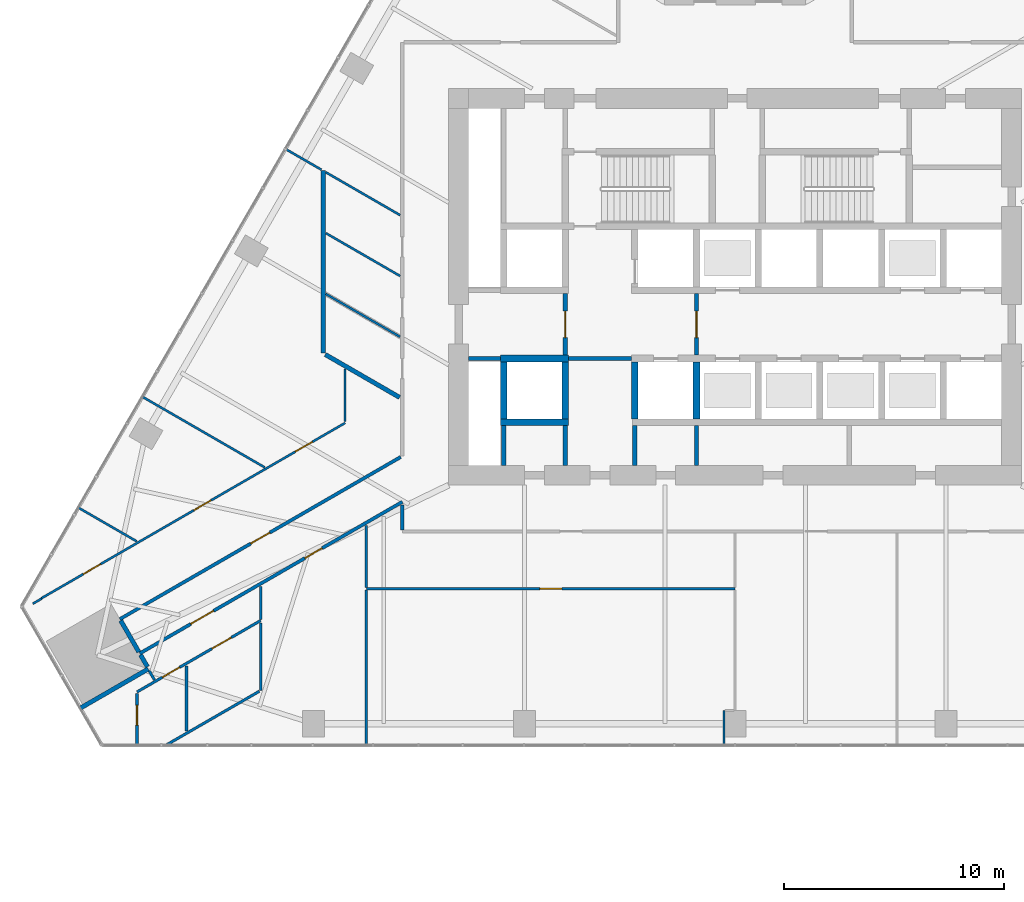
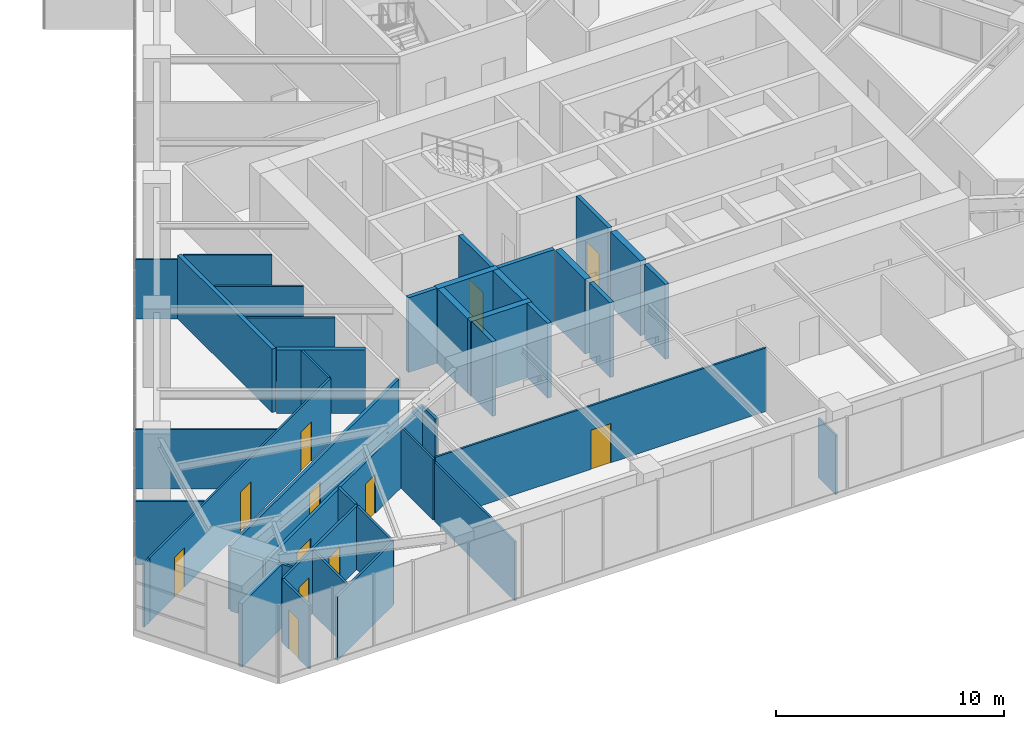
# One storey, part 17 of 26: 42 walls, 12 doors, 12 openings.
"""IFC4 building model written with IfcOpenShell, lengths in metres."""

from ifc_helpers import new_model, si_unit, direction, frame, frame_2d, origin, place, context, subcontext, project, spatial, rectangle, extrude, material, layer, layer_set, type_object, element, fill, save


model = new_model("IFC4")

# Units and contexts
model_context = context("Model", 3, precision=1e-05, world=origin(), true_north=direction((0.0, 1.0)))
body_context = subcontext(model_context, "Body", "Model", "MODEL_VIEW")
ifc_project = project(units=[si_unit("LENGTHUNIT", "METRE"), si_unit("AREAUNIT", "SQUARE_METRE"), si_unit("VOLUMEUNIT", "CUBIC_METRE"), si_unit("PLANEANGLEUNIT", "RADIAN"), si_unit("MASSUNIT", "GRAM", prefix="KILO")], contexts=[model_context])

# Site, building, storey
site_placement = place(None, origin())
site = spatial("IfcSite", under=ifc_project, at=site_placement, CompositionType="ELEMENT")
building_placement = place(site_placement, origin())
building = spatial("IfcBuilding", under=site, at=building_placement, Name="Firuza Gate Tower and Library", CompositionType="ELEMENT")
storey_placement = place(building_placement, frame((0.0, 0.0, 52.60009765625)))
storey = spatial("IfcBuildingStorey", under=building, at=storey_placement, Name="L11", CompositionType="ELEMENT", Elevation=52.60009765625)

# Walls
ifc_material_1 = material(Name="Plasterboard on steel studs", Category="steel")
ifc_layer_1 = layer(ifc_material_1, 0.199951171875)
ifc_layer_set_1 = layer_set([ifc_layer_1], Name="Core partition 200 EI 120")
wall_type_1 = type_object("IfcWallType", Name="Core partition 200 EI 120", PredefinedType="PARTITIONING", material=ifc_layer_set_1)
wall_1_placement = place(storey_placement, frame((62.89990234375, 71.75, 0.0), z_axis=(0.0, 0.0, 1.0), x_axis=(1.0, 0.0, 0.0)))
element("IfcWall", 1, at=wall_1_placement, inside=storey, type_object=wall_type_1, Name="Core partition L11 1", PredefinedType="PARTITIONING", context=body_context, shape_type="SweptSolid", body=[
    extrude(rectangle(XDim=1.4501953125, YDim=0.199951171875, at=frame_2d((0.72509765625, 0.0))), origin(), (0.0, 0.0, 1.0), 4.0),
])
wall_2_placement = place(storey_placement, frame((67.449951171875, 71.75, 0.0), z_axis=(0.0, 0.0, 1.0), x_axis=(1.0, 0.0, 0.0)))
element("IfcWall", 2, at=wall_2_placement, inside=storey, type_object=wall_type_1, Name="Core partition L11 2", PredefinedType="PARTITIONING", context=body_context, shape_type="SweptSolid", body=[
    extrude(rectangle(XDim=2.85009765625, YDim=0.199951171875, at=frame_2d((1.425048828125, 0.0))), origin(), (0.0, 0.0, 1.0), 4.0),
])
for number, where, z_axis, x_axis, name in (
    (3, (64.5, 66.89990234375, 0.0), (0.0, 0.0, 1.0), (0.0, 1.0, 0.0), "Core partition L11 5"),
    (4, (67.300048828125, 66.89990234375, 0.0), (0.0, 0.0, 1.0), (0.0, 1.0, 0.0), "Core partition L11 7"),
    (5, (70.449951171875, 66.89990234375, 0.0), (0.0, 0.0, 1.0), (0.0, 1.0, 0.0), "Core partition L11 10"),
    (6, (73.25, 66.89990234375, 0.0), (0.0, 0.0, 1.0), (0.0, 1.0, 0.0), "Core partition L11 11"),
):
    element("IfcWall", number, at=place(storey_placement, frame(where, z_axis=z_axis, x_axis=x_axis)), inside=storey, type_object=wall_type_1, Name=name, PredefinedType="PARTITIONING", context=body_context, shape_type="SweptSolid", body=[
        extrude(rectangle(XDim=1.800048828125, YDim=0.199951171875, at=frame_2d((0.89990234375, 0.0))), origin(), (0.0, 0.0, 1.0), 4.0),
    ])

# Wall, opening, door
ifc_material_2 = material(Name="Plasterboard on steel studs", Category="steel")
ifc_layer_2 = layer(ifc_material_2, 0.199951171875)
ifc_layer_set_2 = layer_set([ifc_layer_2], Name="Core partition 200 EI 60")
wall_type_2 = type_object("IfcWallType", Name="Core partition 200 EI 60", PredefinedType="PARTITIONING", material=ifc_layer_set_2)
wall_3_placement = place(storey_placement, frame((67.300048828125, 71.89990234375, 0.0), z_axis=(0.0, 0.0, 1.0), x_axis=(0.0, 1.0, 0.0)))
wall_3 = element("IfcWall", 7, at=wall_3_placement, inside=storey, type_object=wall_type_2, Name="Core partition L11 8", PredefinedType="PARTITIONING", context=body_context, shape_type="SweptSolid", body=[
    extrude(rectangle(XDim=2.800048828125, YDim=0.199951171875, at=frame_2d((1.39990234375, 0.0))), origin(), (0.0, 0.0, 1.0), 4.0),
])
opening_1_placement = place(wall_3_placement, frame((0.800048828125, 0.0, 0.0)))
opening_1 = element("IfcOpeningElement", 8, at=opening_1_placement, cuts=wall_3, Name="Opening L11-K21", PredefinedType="OPENING", context=body_context, shape_type="SweptSolid", body=[
    extrude(rectangle(XDim=1.199951171875, YDim=2.10009765625, at=frame_2d((0.60009765625, 1.050048828125))), frame((0.0, 0.10986328125, 0.0), z_axis=(0.0, -1.0, 0.0), x_axis=(1.0, 0.0, 0.0)), (0.0, 0.0, 1.0), 0.219970703125),
])
ifc_material_3 = material(Name="Steel", Category="steel")
door_type_1 = type_object("IfcDoorType", Name="Fire door 1200x2100 FD90S", OperationType="NOTDEFINED", PredefinedType="DOOR", material=ifc_material_3)
door_1_placement = place(opening_1_placement, origin())
door_1 = element("IfcDoor", 9, at=door_1_placement, inside=storey, type_object=door_type_1, Name="Door L11-K21", OperationType="SINGLE_SWING_RIGHT", OverallHeight=2.10009765625, OverallWidth=1.199951171875, PredefinedType="DOOR", context=body_context, shape_type="SweptSolid", body=[
    extrude(rectangle(XDim=1.199951171875, YDim=2.10009765625, at=frame_2d((0.60009765625, 1.050048828125))), frame((0.0, 0.02490234375, 0.0), z_axis=(0.0, -1.0, 0.0), x_axis=(1.0, 0.0, 0.0)), (0.0, 0.0, 1.0), 0.050048828125),
])
fill(opening_1, door_1)

wall_4_placement = place(storey_placement, frame((73.25, 71.89990234375, 0.0), z_axis=(0.0, 0.0, 1.0), x_axis=(0.0, 1.0, 0.0)))
wall_4 = element("IfcWall", 10, at=wall_4_placement, inside=storey, type_object=wall_type_2, Name="Core partition L11 12", PredefinedType="PARTITIONING", context=body_context, shape_type="SweptSolid", body=[
    extrude(rectangle(XDim=2.800048828125, YDim=0.199951171875, at=frame_2d((1.39990234375, 0.0))), origin(), (0.0, 0.0, 1.0), 4.0),
])
opening_2_placement = place(wall_4_placement, frame((0.800048828125, 0.0, 0.0)))
opening_2 = element("IfcOpeningElement", 11, at=opening_2_placement, cuts=wall_4, Name="Opening L11-K20", PredefinedType="OPENING", context=body_context, shape_type="SweptSolid", body=[
    extrude(rectangle(XDim=1.199951171875, YDim=2.10009765625, at=frame_2d((0.60009765625, 1.050048828125))), frame((0.0, 0.10986328125, 0.0), z_axis=(0.0, -1.0, 0.0), x_axis=(1.0, 0.0, 0.0)), (0.0, 0.0, 1.0), 0.219970703125),
])
door_2_placement = place(opening_2_placement, origin())
door_2 = element("IfcDoor", 12, at=door_2_placement, inside=storey, type_object=door_type_1, Name="Door L11-K20", OperationType="SINGLE_SWING_LEFT", OverallHeight=2.10009765625, OverallWidth=1.199951171875, PredefinedType="DOOR", context=body_context, shape_type="SweptSolid", body=[
    extrude(rectangle(XDim=1.199951171875, YDim=2.10009765625, at=frame_2d((0.60009765625, 1.050048828125))), frame((0.0, 0.02490234375, 0.0), z_axis=(0.0, -1.0, 0.0), x_axis=(1.0, 0.0, 0.0)), (0.0, 0.0, 1.0), 0.050048828125),
])
fill(opening_2, door_2)

# Walls
ifc_material_4 = material(Name="Concrete C80/95", Category="concrete")
ifc_layer_3 = layer(ifc_material_4, 0.300048828125)
ifc_layer_set_3 = layer_set([ifc_layer_3], Name="Core wall 300 C80/95")
wall_type_3 = type_object("IfcWallType", Name="Core wall 300 C80/95", PredefinedType="SHEAR", material=ifc_layer_set_3)
for number, where, z_axis, x_axis, name in (
    (13, (64.35009765625, 68.85009765625, 0.0), (0.0, 0.0, 1.0), (1.0, 0.0, 0.0), "Core wall L11 5"),
    (14, (64.35009765625, 71.75, 0.0), (0.0, 0.0, 1.0), (1.0, 0.0, 0.0), "Core wall L11 7"),
):
    element("IfcWall", number, at=place(storey_placement, frame(where, z_axis=z_axis, x_axis=x_axis)), inside=storey, type_object=wall_type_3, Name=name, PredefinedType="SHEAR", context=body_context, shape_type="SweptSolid", body=[
        extrude(rectangle(XDim=3.099853515625, YDim=0.300048828125, at=frame_2d((1.5498046875, 0.0))), origin(), (0.0, 0.0, 1.0), 4.0),
    ])
for number, where, z_axis, x_axis, name in (
    (15, (64.5, 69.0, 0.0), (0.0, 0.0, 1.0), (0.0, 1.0, 0.0), "Core wall L11 11"),
    (16, (67.300048828125, 69.0, 0.0), (0.0, 0.0, 1.0), (0.0, 1.0, 0.0), "Core wall L11 13"),
    (17, (70.449951171875, 69.0, 0.0), (0.0, 0.0, 1.0), (0.0, 1.0, 0.0), "Core wall L11 15"),
    (18, (73.25, 69.0, 0.0), (0.0, 0.0, 1.0), (0.0, 1.0, 0.0), "Core wall L11 17"),
):
    element("IfcWall", number, at=place(storey_placement, frame(where, z_axis=z_axis, x_axis=x_axis)), inside=storey, type_object=wall_type_3, Name=name, PredefinedType="SHEAR", context=body_context, shape_type="SweptSolid", body=[
        extrude(rectangle(XDim=2.60009765625, YDim=0.300048828125, at=frame_2d((1.300048828125, 0.0))), origin(), (0.0, 0.0, 1.0), 4.0),
    ])

# Wall, openings, doors
ifc_material_5 = material(Name="Gypsum board partition")
ifc_layer_4 = layer(ifc_material_5, 0.14990234375)
ifc_layer_set_4 = layer_set([ifc_layer_4], Name="Corridor wall 150 double board on steel studs")
wall_type_4 = type_object("IfcWallType", Name="Corridor wall 150 double board on steel studs", PredefinedType="PARTITIONING", material=ifc_layer_set_4)
wall_5_placement = place(storey_placement, frame((59.89990234375, 65.242919921875, 0.0), z_axis=(0.0, 0.0, 1.0), x_axis=(-0.866026378386, -0.499998311937, 0.0)))
wall_5 = element("IfcWall", 19, at=wall_5_placement, inside=storey, type_object=wall_type_4, Name="f:L11:w017", PredefinedType="PARTITIONING", context=body_context, shape_type="SweptSolid", body=[
    extrude(rectangle(XDim=13.76416015625, YDim=0.14990234375, at=frame_2d((6.882080078125, 0.0))), origin(), (0.0, 0.0, 1.0), 3.246826171875),
])
opening_3_placement = place(wall_5_placement, frame((4.208740234375, 0.0, 0.0)))
opening_3 = element("IfcOpeningElement", 20, at=opening_3_placement, cuts=wall_5, Name="Opening L11-13", PredefinedType="OPENING", context=body_context, shape_type="SweptSolid", body=[
    extrude(rectangle(XDim=0.89990234375, YDim=2.10009765625, at=frame_2d((0.449951171875, 1.050048828125))), frame((0.0, 0.0849609375, 0.0), z_axis=(0.0, -1.0, 0.0), x_axis=(1.0, 0.0, 0.0)), (0.0, 0.0, 1.0), 0.169921875),
])
opening_4_placement = place(wall_5_placement, frame((9.890869140625, 0.0, 0.0)))
opening_4 = element("IfcOpeningElement", 21, at=opening_4_placement, cuts=wall_5, Name="Opening L11-14", PredefinedType="OPENING", context=body_context, shape_type="SweptSolid", body=[
    extrude(rectangle(XDim=1.199951171875, YDim=2.10009765625, at=frame_2d((0.60009765625, 1.050048828125))), frame((0.0, 0.0849609375, 0.0), z_axis=(0.0, -1.0, 0.0), x_axis=(1.0, 0.0, 0.0)), (0.0, 0.0, 1.0), 0.169921875),
])
ifc_material_6 = material(Name="Steel door and timber leaf", Category="steel")
door_type_2 = type_object("IfcDoorType", Name="Fire door 1200 x 2100 steel frame, double leaf", OperationType="NOTDEFINED", PredefinedType="DOOR", material=ifc_material_6)
door_3_placement = place(opening_4_placement, origin())
door_3 = element("IfcDoor", 22, at=door_3_placement, inside=storey, type_object=door_type_2, Name="f:L11:d014", OperationType="DOUBLE_DOOR_SINGLE_SWING", OverallHeight=2.10009765625, OverallWidth=1.199951171875, PredefinedType="DOOR", context=body_context, shape_type="SweptSolid", body=[
    extrude(rectangle(XDim=1.199951171875, YDim=2.10009765625, at=frame_2d((0.60009765625, 1.050048828125))), frame((0.0, 0.02490234375, 0.0), z_axis=(0.0, -1.0, 0.0), x_axis=(1.0, 0.0, 0.0)), (0.0, 0.0, 1.0), 0.050048828125),
])
fill(opening_4, door_3)
ifc_material_7 = material(Name="Steel door and timber leaf", Category="steel")
door_type_3 = type_object("IfcDoorType", Name="Fire door 900 x 2100 steel frame, timber leaf", OperationType="NOTDEFINED", PredefinedType="DOOR", material=ifc_material_7)
door_4_placement = place(opening_3_placement, origin())
door_4 = element("IfcDoor", 23, at=door_4_placement, inside=storey, type_object=door_type_3, Name="f:L11:d013", OperationType="SINGLE_SWING_RIGHT", OverallHeight=2.10009765625, OverallWidth=0.89990234375, PredefinedType="DOOR", context=body_context, shape_type="SweptSolid", body=[
    extrude(rectangle(XDim=0.89990234375, YDim=2.10009765625, at=frame_2d((0.449951171875, 1.050048828125))), frame((0.0, 0.02490234375, 0.0), z_axis=(0.0, -1.0, 0.0), x_axis=(1.0, 0.0, 0.0)), (0.0, 0.0, 1.0), 0.050048828125),
])
fill(opening_3, door_4)

# Wall, opening, door
wall_6_placement = place(storey_placement, frame((47.079833984375, 59.919677734375, 0.0), z_axis=(0.0, 0.0, 1.0), x_axis=(0.866025356753, 0.50000008146, 0.0)))
wall_6 = element("IfcWall", 24, at=wall_6_placement, inside=storey, type_object=wall_type_4, Name="f:L11:w020", PredefinedType="PARTITIONING", context=body_context, shape_type="SweptSolid", body=[
    extrude(rectangle(XDim=14.716796875, YDim=0.14990234375, at=frame_2d((7.3583984375, 0.0))), origin(), (0.0, 0.0, 1.0), 3.39990234375),
])
opening_5_placement = place(wall_6_placement, frame((6.8583984375, 0.0, 0.0)))
opening_5 = element("IfcOpeningElement", 25, at=opening_5_placement, cuts=wall_6, Name="Opening L11-15", PredefinedType="OPENING", context=body_context, shape_type="SweptSolid", body=[
    extrude(rectangle(XDim=1.0, YDim=2.10009765625, at=frame_2d((0.5, 1.050048828125))), frame((0.0, 0.0849609375, 0.0), z_axis=(0.0, -1.0, 0.0), x_axis=(1.0, 0.0, 0.0)), (0.0, 0.0, 1.0), 0.169921875),
])
ifc_material_8 = material(Name="Steel door and timber leaf", Category="steel")
door_type_4 = type_object("IfcDoorType", Name="Fire door 1000 x 2100 steel frame, timber leaf", OperationType="NOTDEFINED", PredefinedType="DOOR", material=ifc_material_8)
door_5_placement = place(opening_5_placement, origin())
door_5 = element("IfcDoor", 26, at=door_5_placement, inside=storey, type_object=door_type_4, Name="f:L11:d015", OperationType="SINGLE_SWING_RIGHT", OverallHeight=2.10009765625, OverallWidth=1.0, PredefinedType="DOOR", context=body_context, shape_type="SweptSolid", body=[
    extrude(rectangle(XDim=1.0, YDim=2.10009765625, at=frame_2d((0.5, 1.050048828125))), frame((0.0, 0.02490234375, 0.0), z_axis=(0.0, -1.0, 0.0), x_axis=(1.0, 0.0, 0.0)), (0.0, 0.0, 1.0), 0.050048828125),
])
fill(opening_5, door_5)

# Walls
wall_7_placement = place(storey_placement, frame((59.89990234375, 63.97509765625, 0.0), z_axis=(0.0, 0.0, 1.0), x_axis=(0.0, 1.0, 0.0)))
element("IfcWall", 27, at=wall_7_placement, inside=storey, type_object=wall_type_4, Name="f:L11:w046", PredefinedType="PARTITIONING", context=body_context, shape_type="SweptSolid", body=[
    extrude(rectangle(XDim=1.131103515625, YDim=0.14990234375, at=frame_2d((0.5654296875, 0.0))), origin(), (0.0, 0.0, 1.0), 3.246826171875),
])
ifc_material_9 = material(Name="Gypsum board partition")
ifc_layer_5 = layer(ifc_material_9, 0.199951171875)
ifc_layer_set_5 = layer_set([ifc_layer_5], Name="Demising wall 200 acoustic double stud")
wall_type_5 = type_object("IfcWallType", Name="Demising wall 200 acoustic double stud", PredefinedType="PARTITIONING", material=ifc_layer_set_5)
wall_8_placement = place(storey_placement, frame((45.29638671875, 55.8876953125, 0.0), z_axis=(0.0, 0.0, 1.0), x_axis=(0.866016916595, 0.500014699955, 0.0)))
element("IfcWall", 28, at=wall_8_placement, inside=storey, type_object=wall_type_5, Name="f:L11:w016", PredefinedType="PARTITIONING", context=body_context, shape_type="SweptSolid", body=[
    extrude(rectangle(XDim=3.54345703125, YDim=0.199951171875, at=frame_2d((1.771728515625, 0.0))), origin(), (0.0, 0.0, 1.0), 3.39990234375),
])
wall_9_placement = place(storey_placement, frame((56.300048828125, 71.98828125, 0.0), z_axis=(0.0, 0.0, 1.0), x_axis=(0.0, 1.0, 0.0)))
element("IfcWall", 29, at=wall_9_placement, inside=storey, type_object=wall_type_5, Name="f:L11:w050", PredefinedType="PARTITIONING", context=body_context, shape_type="SweptSolid", body=[
    extrude(rectangle(XDim=8.2841796875, YDim=0.199951171875, at=frame_2d((4.14208984375, 0.0))), origin(), (0.0, 0.0, 1.0), 3.39990234375),
])
wall_10_placement = place(storey_placement, frame((48.32958984375, 57.7548828125, 0.0), z_axis=(0.0, 0.0, 1.0), x_axis=(-0.500342721131, 0.865827443207, 0.0)))
element("IfcWall", 30, at=wall_10_placement, inside=storey, type_object=wall_type_5, Name="f:L11:w055", PredefinedType="PARTITIONING", context=body_context, shape_type="SweptSolid", body=[
    extrude(rectangle(XDim=0.62451171875, YDim=0.199951171875, at=frame_2d((0.312255859375, 0.0))), origin(), (0.0, 0.0, 1.0), 3.39990234375),
])
wall_11_placement = place(storey_placement, frame((59.773193359375, 69.982421875, 0.0), z_axis=(0.0, 0.0, 1.0), x_axis=(-0.866043624834, 0.499968438888, 0.0)))
element("IfcWall", 31, at=wall_11_placement, inside=storey, type_object=wall_type_5, Name="f:L11:w066", PredefinedType="PARTITIONING", context=body_context, shape_type="SweptSolid", body=[
    extrude(rectangle(XDim=3.894775390625, YDim=0.199951171875, at=frame_2d((1.947265625, 0.0))), origin(), (0.0, 0.0, 1.0), 3.39990234375),
])
wall_12_placement = place(storey_placement, frame((47.942138671875, 58.425537109375, 0.0), z_axis=(0.0, 0.0, 1.0), x_axis=(-0.499991515992, 0.866030301974, 0.0)))
element("IfcWall", 32, at=wall_12_placement, inside=storey, type_object=wall_type_5, Name="f:L11:w073", PredefinedType="PARTITIONING", context=body_context, shape_type="SweptSolid", body=[
    extrude(rectangle(XDim=1.6494140625, YDim=0.199951171875, at=frame_2d((0.82470703125, 0.0))), origin(), (0.0, 0.0, 1.0), 3.246826171875),
])

# Wall, opening, door
ifc_material_10 = material(Name="Gypsum board partition")
ifc_layer_6 = layer(ifc_material_10, 0.10009765625)
ifc_layer_set_6 = layer_set([ifc_layer_6], Name="Partition 100 gypsum board on steel studs")
wall_type_6 = type_object("IfcWallType", Name="Partition 100 gypsum board on steel studs", PredefinedType="PARTITIONING", material=ifc_layer_set_6)
wall_13_placement = place(storey_placement, frame((58.27099609375, 61.300048828125, 0.0), z_axis=(0.0, 0.0, 1.0), x_axis=(1.0, 0.0, 0.0)))
wall_13 = element("IfcWall", 33, at=wall_13_placement, inside=storey, type_object=wall_type_6, Name="f:L11:w001", PredefinedType="PARTITIONING", context=body_context, shape_type="SweptSolid", body=[
    extrude(rectangle(XDim=16.72900390625, YDim=0.10009765625, at=frame_2d((8.364501953125, 0.0))), origin(), (0.0, 0.0, 1.0), 3.39990234375),
])
opening_6_placement = place(wall_13_placement, frame((7.864501953125, 0.0, 0.0)))
opening_6 = element("IfcOpeningElement", 34, at=opening_6_placement, cuts=wall_13, Name="Opening L11-01", PredefinedType="OPENING", context=body_context, shape_type="SweptSolid", body=[
    extrude(rectangle(XDim=1.0, YDim=2.10009765625, at=frame_2d((0.5, 1.050048828125))), frame((0.0, 0.06005859375, 0.0), z_axis=(0.0, -1.0, 0.0), x_axis=(1.0, 0.0, 0.0)), (0.0, 0.0, 1.0), 0.1201171875),
])
ifc_material_11 = material(Name="Timber door", Category="wood")
door_type_5 = type_object("IfcDoorType", Name="Door 1000 x 2100 timber leaf", OperationType="NOTDEFINED", PredefinedType="DOOR", material=ifc_material_11)
door_6_placement = place(opening_6_placement, origin())
door_6 = element("IfcDoor", 35, at=door_6_placement, inside=storey, type_object=door_type_5, Name="f:L11:d001", OperationType="SINGLE_SWING_RIGHT", OverallHeight=2.10009765625, OverallWidth=1.0, PredefinedType="DOOR", context=body_context, shape_type="SweptSolid", body=[
    extrude(rectangle(XDim=1.0, YDim=2.10009765625, at=frame_2d((0.5, 1.050048828125))), frame((0.0, 0.02490234375, 0.0), z_axis=(0.0, -1.0, 0.0), x_axis=(1.0, 0.0, 0.0)), (0.0, 0.0, 1.0), 0.050048828125),
])
fill(opening_6, door_6)

# Wall
wall_14_placement = place(storey_placement, frame((43.12744140625, 60.617919921875, 0.0), z_axis=(0.0, 0.0, 1.0), x_axis=(0.865979310119, 0.500079828073, 0.0)))
element("IfcWall", 36, at=wall_14_placement, inside=storey, type_object=wall_type_6, Name="f:L11:w021", PredefinedType="PARTITIONING", context=body_context, shape_type="SweptSolid", body=[
    extrude(rectangle(XDim=0.47314453125, YDim=0.10009765625, at=frame_2d((0.236572265625, 0.0))), origin(), (0.0, 0.0, 1.0), 3.39990234375),
])

# Wall, openings, doors
wall_15_placement = place(storey_placement, frame((57.300048828125, 68.822509765625, 0.0), z_axis=(0.0, 0.0, 1.0), x_axis=(-0.8660275888, -0.499996215423, 0.0)))
wall_15 = element("IfcWall", 37, at=wall_15_placement, inside=storey, type_object=wall_type_6, Name="f:L11:w022", PredefinedType="PARTITIONING", context=body_context, shape_type="SweptSolid", body=[
    extrude(rectangle(XDim=15.90234375, YDim=0.10009765625, at=frame_2d((7.951171875, 0.0))), origin(), (0.0, 0.0, 1.0), 3.39990234375),
])
opening_7_placement = place(wall_15_placement, frame((1.712890625, 0.0, 0.0)))
opening_7 = element("IfcOpeningElement", 38, at=opening_7_placement, cuts=wall_15, Name="Opening L11-16", PredefinedType="OPENING", context=body_context, shape_type="SweptSolid", body=[
    extrude(rectangle(XDim=0.89990234375, YDim=2.10009765625, at=frame_2d((0.449951171875, 1.050048828125))), frame((0.0, 0.06005859375, 0.0), z_axis=(0.0, -1.0, 0.0), x_axis=(1.0, 0.0, 0.0)), (0.0, 0.0, 1.0), 0.1201171875),
])
opening_8_placement = place(wall_15_placement, frame((7.02734375, 0.0, 0.0)))
opening_8 = element("IfcOpeningElement", 39, at=opening_8_placement, cuts=wall_15, Name="Opening L11-17", PredefinedType="OPENING", context=body_context, shape_type="SweptSolid", body=[
    extrude(rectangle(XDim=0.89990234375, YDim=2.10009765625, at=frame_2d((0.449951171875, 1.050048828125))), frame((0.0, 0.06005859375, 0.0), z_axis=(0.0, -1.0, 0.0), x_axis=(1.0, 0.0, 0.0)), (0.0, 0.0, 1.0), 0.1201171875),
])
opening_9_placement = place(wall_15_placement, frame((12.815673828125, 0.0, 0.0)))
opening_9 = element("IfcOpeningElement", 40, at=opening_9_placement, cuts=wall_15, Name="Opening L11-18", PredefinedType="OPENING", context=body_context, shape_type="SweptSolid", body=[
    extrude(rectangle(XDim=0.89990234375, YDim=2.10009765625, at=frame_2d((0.449951171875, 1.050048828125))), frame((0.0, 0.06005859375, 0.0), z_axis=(0.0, -1.0, 0.0), x_axis=(1.0, 0.0, 0.0)), (0.0, 0.0, 1.0), 0.1201171875),
])
ifc_material_12 = material(Name="Timber door", Category="wood")
door_type_6 = type_object("IfcDoorType", Name="Door 900 x 2100 timber leaf", OperationType="NOTDEFINED", PredefinedType="DOOR", material=ifc_material_12)
door_7_placement = place(opening_7_placement, origin())
door_7 = element("IfcDoor", 41, at=door_7_placement, inside=storey, type_object=door_type_6, Name="f:L11:d016", OperationType="SINGLE_SWING_RIGHT", OverallHeight=2.10009765625, OverallWidth=0.89990234375, PredefinedType="DOOR", context=body_context, shape_type="SweptSolid", body=[
    extrude(rectangle(XDim=0.89990234375, YDim=2.10009765625, at=frame_2d((0.449951171875, 1.050048828125))), frame((0.0, 0.02490234375, 0.0), z_axis=(0.0, -1.0, 0.0), x_axis=(1.0, 0.0, 0.0)), (0.0, 0.0, 1.0), 0.050048828125),
])
fill(opening_7, door_7)
door_8_placement = place(opening_8_placement, origin())
door_8 = element("IfcDoor", 42, at=door_8_placement, inside=storey, type_object=door_type_6, Name="f:L11:d017", OperationType="SINGLE_SWING_LEFT", OverallHeight=2.10009765625, OverallWidth=0.89990234375, PredefinedType="DOOR", context=body_context, shape_type="SweptSolid", body=[
    extrude(rectangle(XDim=0.89990234375, YDim=2.10009765625, at=frame_2d((0.449951171875, 1.050048828125))), frame((0.0, 0.02490234375, 0.0), z_axis=(0.0, -1.0, 0.0), x_axis=(1.0, 0.0, 0.0)), (0.0, 0.0, 1.0), 0.050048828125),
])
fill(opening_8, door_8)
door_9_placement = place(opening_9_placement, origin())
door_9 = element("IfcDoor", 43, at=door_9_placement, inside=storey, type_object=door_type_6, Name="f:L11:d018", OperationType="SINGLE_SWING_RIGHT", OverallHeight=2.10009765625, OverallWidth=0.89990234375, PredefinedType="DOOR", context=body_context, shape_type="SweptSolid", body=[
    extrude(rectangle(XDim=0.89990234375, YDim=2.10009765625, at=frame_2d((0.449951171875, 1.050048828125))), frame((0.0, 0.02490234375, 0.0), z_axis=(0.0, -1.0, 0.0), x_axis=(1.0, 0.0, 0.0)), (0.0, 0.0, 1.0), 0.050048828125),
])
fill(opening_9, door_9)

# Walls
wall_16_placement = place(storey_placement, frame((74.5, 54.212158203125, 0.0), z_axis=(0.0, 0.0, 1.0), x_axis=(0.0, 1.0, 0.0)))
element("IfcWall", 44, at=wall_16_placement, inside=storey, type_object=wall_type_6, Name="f:L11:w041", PredefinedType="PARTITIONING", context=body_context, shape_type="SweptSolid", body=[
    extrude(rectangle(XDim=1.5595703125, YDim=0.10009765625, at=frame_2d((0.77978515625, 0.0))), origin(), (0.0, 0.0, 1.0), 3.164794921875),
])
wall_17_placement = place(storey_placement, frame((58.257080078125, 54.212158203125, 0.0), z_axis=(0.0, 0.0, 1.0), x_axis=(0.0, 1.0, 0.0)))
element("IfcWall", 45, at=wall_17_placement, inside=storey, type_object=wall_type_6, Name="f:L11:w048", PredefinedType="PARTITIONING", context=body_context, shape_type="SweptSolid", body=[
    extrude(rectangle(XDim=7.037841796875, YDim=0.10009765625, at=frame_2d((3.51904296875, 0.0))), origin(), (0.0, 0.0, 1.0), 3.164794921875),
])
wall_18_placement = place(storey_placement, frame((57.300048828125, 68.880126953125, 0.0), z_axis=(0.0, 0.0, 1.0), x_axis=(0.0, 1.0, 0.0)))
element("IfcWall", 46, at=wall_18_placement, inside=storey, type_object=wall_type_6, Name="f:L11:w049", PredefinedType="PARTITIONING", context=body_context, shape_type="SweptSolid", body=[
    extrude(rectangle(XDim=2.38427734375, YDim=0.10009765625, at=frame_2d((1.192138671875, 0.0))), origin(), (0.0, 0.0, 1.0), 3.39990234375),
])
wall_19_placement = place(storey_placement, frame((59.798828125, 78.25244140625, 0.0), z_axis=(0.0, 0.0, 1.0), x_axis=(-0.866036349784, 0.499981040493, 0.0)))
element("IfcWall", 47, at=wall_19_placement, inside=storey, type_object=wall_type_6, Name="f:L11:w063", PredefinedType="PARTITIONING", context=body_context, shape_type="SweptSolid", body=[
    extrude(rectangle(XDim=3.895751953125, YDim=0.10009765625, at=frame_2d((1.94775390625, 0.0))), origin(), (0.0, 0.0, 1.0), 3.39990234375),
])
wall_20_placement = place(storey_placement, frame((59.798828125, 75.490478515625, 0.0), z_axis=(0.0, 0.0, 1.0), x_axis=(-0.866043624834, 0.499968438888, 0.0)))
element("IfcWall", 48, at=wall_20_placement, inside=storey, type_object=wall_type_6, Name="f:L11:w064", PredefinedType="PARTITIONING", context=body_context, shape_type="SweptSolid", body=[
    extrude(rectangle(XDim=3.894775390625, YDim=0.10009765625, at=frame_2d((1.947265625, 0.0))), origin(), (0.0, 0.0, 1.0), 3.39990234375),
])
wall_21_placement = place(storey_placement, frame((59.799072265625, 72.729248046875, 0.0), z_axis=(0.0, 0.0, 1.0), x_axis=(-0.866016482536, 0.500015451737, 0.0)))
element("IfcWall", 49, at=wall_21_placement, inside=storey, type_object=wall_type_6, Name="f:L11:w065", PredefinedType="PARTITIONING", context=body_context, shape_type="SweptSolid", body=[
    extrude(rectangle(XDim=3.89501953125, YDim=0.10009765625, at=frame_2d((1.947509765625, 0.0))), origin(), (0.0, 0.0, 1.0), 3.39990234375),
])
wall_22_placement = place(storey_placement, frame((53.654052734375, 66.80517578125, 0.0), z_axis=(0.0, 0.0, 1.0), x_axis=(-0.866029926444, 0.499992166441, 0.0)))
element("IfcWall", 50, at=wall_22_placement, inside=storey, type_object=wall_type_6, Name="f:L11:w067", PredefinedType="PARTITIONING", context=body_context, shape_type="SweptSolid", body=[
    extrude(rectangle(XDim=6.39892578125, YDim=0.10009765625, at=frame_2d((3.199462890625, 0.0))), origin(), (0.0, 0.0, 1.0), 3.164794921875),
])
wall_23_placement = place(storey_placement, frame((47.843017578125, 63.4501953125, 0.0), z_axis=(0.0, 0.0, 1.0), x_axis=(-0.86603332906, 0.499986272769, 0.0)))
element("IfcWall", 51, at=wall_23_placement, inside=storey, type_object=wall_type_6, Name="f:L11:w068", PredefinedType="PARTITIONING", context=body_context, shape_type="SweptSolid", body=[
    extrude(rectangle(XDim=3.0439453125, YDim=0.10009765625, at=frame_2d((1.52197265625, 0.0))), origin(), (0.0, 0.0, 1.0), 3.39990234375),
])
wall_24_placement = place(storey_placement, frame((56.22509765625, 80.315673828125, 0.0), z_axis=(0.0, 0.0, 1.0), x_axis=(-0.86600952399, 0.500027503603, 0.0)))
element("IfcWall", 52, at=wall_24_placement, inside=storey, type_object=wall_type_6, Name="f:L11:w078", PredefinedType="PARTITIONING", context=body_context, shape_type="SweptSolid", body=[
    extrude(rectangle(XDim=1.87060546875, YDim=0.10009765625, at=frame_2d((0.935302734375, 0.0))), origin(), (0.0, 0.0, 1.0), 3.164794921875),
])
wall_25_placement = place(storey_placement, frame((58.257080078125, 61.35009765625, 0.0), z_axis=(0.0, 0.0, 1.0), x_axis=(0.0, 1.0, 0.0)))
element("IfcWall", 53, at=wall_25_placement, inside=storey, type_object=wall_type_6, Name="f:L11:w079", PredefinedType="PARTITIONING", context=body_context, shape_type="SweptSolid", body=[
    extrude(rectangle(XDim=2.82763671875, YDim=0.10009765625, at=frame_2d((1.413818359375, 0.0))), origin(), (0.0, 0.0, 1.0), 3.246826171875),
])
ifc_material_13 = material(Name="Gypsum board partition")
ifc_layer_7 = layer(ifc_material_13, 0.1201171875)
ifc_layer_set_7 = layer_set([ifc_layer_7], Name="Wet-area partition 120 moisture-resistant board")
wall_type_7 = type_object("IfcWallType", Name="Wet-area partition 120 moisture-resistant board", PredefinedType="PARTITIONING", material=ifc_layer_set_7)
wall_26_placement = place(storey_placement, frame((49.194091796875, 54.212158203125, 0.0), z_axis=(0.0, 0.0, 1.0), x_axis=(0.866016997745, 0.500014559404, 0.0)))
element("IfcWall", 54, at=wall_26_placement, inside=storey, type_object=wall_type_7, Name="f:L11:w014", PredefinedType="PARTITIONING", context=body_context, shape_type="SweptSolid", body=[
    extrude(rectangle(XDim=4.871337890625, YDim=0.1201171875, at=frame_2d((2.435546875, 0.0))), origin(), (0.0, 0.0, 1.0), 3.39990234375),
])

# Wall, openings, doors
wall_27_placement = place(storey_placement, frame((47.85546875, 56.614501953125, 0.0), z_axis=(0.0, 0.0, 1.0), x_axis=(0.866008853477, 0.500028664877, 0.0)))
wall_27 = element("IfcWall", 55, at=wall_27_placement, inside=storey, type_object=wall_type_7, Name="f:L11:w015", PredefinedType="PARTITIONING", context=body_context, shape_type="SweptSolid", body=[
    extrude(rectangle(XDim=6.4873046875, YDim=0.1201171875, at=frame_2d((3.24365234375, 0.0))), origin(), (0.0, 0.0, 1.0), 3.39990234375),
])
opening_10_placement = place(wall_27_placement, frame((1.329345703125, 0.0, 0.0)))
opening_10 = element("IfcOpeningElement", 56, at=opening_10_placement, cuts=wall_27, Name="Opening L11-11", PredefinedType="OPENING", context=body_context, shape_type="SweptSolid", body=[
    extrude(rectangle(XDim=0.89990234375, YDim=2.10009765625, at=frame_2d((0.449951171875, 1.050048828125))), frame((0.0, 0.070068359375, 0.0), z_axis=(0.0, -1.0, 0.0), x_axis=(1.0, 0.0, 0.0)), (0.0, 0.0, 1.0), 0.14013671875),
])
opening_11_placement = place(wall_27_placement, frame((3.939453125, 0.0, 0.0)))
opening_11 = element("IfcOpeningElement", 57, at=opening_11_placement, cuts=wall_27, Name="Opening L11-12", PredefinedType="OPENING", context=body_context, shape_type="SweptSolid", body=[
    extrude(rectangle(XDim=1.0, YDim=2.10009765625, at=frame_2d((0.5, 1.050048828125))), frame((0.0, 0.070068359375, 0.0), z_axis=(0.0, -1.0, 0.0), x_axis=(1.0, 0.0, 0.0)), (0.0, 0.0, 1.0), 0.14013671875),
])
door_10_placement = place(opening_11_placement, origin())
door_10 = element("IfcDoor", 58, at=door_10_placement, inside=storey, type_object=door_type_5, Name="f:L11:d012", OperationType="SINGLE_SWING_RIGHT", OverallHeight=2.10009765625, OverallWidth=1.0, PredefinedType="DOOR", context=body_context, shape_type="SweptSolid", body=[
    extrude(rectangle(XDim=1.0, YDim=2.10009765625, at=frame_2d((0.5, 1.050048828125))), frame((0.0, 0.02490234375, 0.0), z_axis=(0.0, -1.0, 0.0), x_axis=(1.0, 0.0, 0.0)), (0.0, 0.0, 1.0), 0.050048828125),
])
fill(opening_11, door_10)
door_11_placement = place(opening_10_placement, origin())
door_11 = element("IfcDoor", 59, at=door_11_placement, inside=storey, type_object=door_type_6, Name="f:L11:d011", OperationType="SINGLE_SWING_LEFT", OverallHeight=2.10009765625, OverallWidth=0.89990234375, PredefinedType="DOOR", context=body_context, shape_type="SweptSolid", body=[
    extrude(rectangle(XDim=0.89990234375, YDim=2.10009765625, at=frame_2d((0.449951171875, 1.050048828125))), frame((0.0, 0.02490234375, 0.0), z_axis=(0.0, -1.0, 0.0), x_axis=(1.0, 0.0, 0.0)), (0.0, 0.0, 1.0), 0.050048828125),
])
fill(opening_10, door_11)

# Walls
wall_28_placement = place(storey_placement, frame((53.47412109375, 56.682861328125, 0.0), z_axis=(0.0, 0.0, 1.0), x_axis=(0.0, 1.0, 0.0)))
element("IfcWall", 60, at=wall_28_placement, inside=storey, type_object=wall_type_7, Name="f:L11:w051", PredefinedType="PARTITIONING", context=body_context, shape_type="SweptSolid", body=[
    extrude(rectangle(XDim=3.07177734375, YDim=0.1201171875, at=frame_2d((1.535888671875, 0.0))), origin(), (0.0, 0.0, 1.0), 3.39990234375),
])
wall_29_placement = place(storey_placement, frame((50.10302734375, 54.845947265625, 0.0), z_axis=(0.0, 0.0, 1.0), x_axis=(0.0, 1.0, 0.0)))
element("IfcWall", 61, at=wall_29_placement, inside=storey, type_object=wall_type_7, Name="f:L11:w052", PredefinedType="PARTITIONING", context=body_context, shape_type="SweptSolid", body=[
    extrude(rectangle(XDim=2.956787109375, YDim=0.1201171875, at=frame_2d((1.478515625, 0.0))), origin(), (0.0, 0.0, 1.0), 3.39990234375),
])

# Wall, opening, door
wall_30_placement = place(storey_placement, frame((47.85498046875, 56.545166015625, 0.0), z_axis=(0.0, 0.0, 1.0), x_axis=(0.0, -1.0, 0.0)))
wall_30 = element("IfcWall", 62, at=wall_30_placement, inside=storey, type_object=wall_type_7, Name="f:L11:w053", PredefinedType="PARTITIONING", context=body_context, shape_type="SweptSolid", body=[
    extrude(rectangle(XDim=2.3330078125, YDim=0.1201171875, at=frame_2d((1.16650390625, 0.0))), origin(), (0.0, 0.0, 1.0), 3.39990234375),
])
opening_12_placement = place(wall_30_placement, frame((0.53662109375, 0.0, 0.0)))
opening_12 = element("IfcOpeningElement", 63, at=opening_12_placement, cuts=wall_30, Name="Opening L11-30", PredefinedType="OPENING", context=body_context, shape_type="SweptSolid", body=[
    extrude(rectangle(XDim=0.89990234375, YDim=2.10009765625, at=frame_2d((0.449951171875, 1.050048828125))), frame((0.0, 0.070068359375, 0.0), z_axis=(0.0, -1.0, 0.0), x_axis=(1.0, 0.0, 0.0)), (0.0, 0.0, 1.0), 0.14013671875),
])
door_12_placement = place(opening_12_placement, origin())
door_12 = element("IfcDoor", 64, at=door_12_placement, inside=storey, type_object=door_type_6, Name="f:L11:d030", OperationType="SINGLE_SWING_LEFT", OverallHeight=2.10009765625, OverallWidth=0.89990234375, PredefinedType="DOOR", context=body_context, shape_type="SweptSolid", body=[
    extrude(rectangle(XDim=0.89990234375, YDim=2.10009765625, at=frame_2d((0.449951171875, 1.050048828125))), frame((0.0, 0.02490234375, 0.0), z_axis=(0.0, -1.0, 0.0), x_axis=(1.0, 0.0, 0.0)), (0.0, 0.0, 1.0), 0.050048828125),
])
fill(opening_12, door_12)

# Walls
wall_31_placement = place(storey_placement, frame((48.65234375, 57.155517578125, 0.0), z_axis=(0.0, 0.0, 1.0), x_axis=(-0.499913221443, 0.866075499611, 0.0)))
element("IfcWall", 65, at=wall_31_placement, inside=storey, type_object=wall_type_7, Name="f:L11:w056", PredefinedType="PARTITIONING", context=body_context, shape_type="SweptSolid", body=[
    extrude(rectangle(XDim=0.47998046875, YDim=0.1201171875, at=frame_2d((0.239990234375, 0.0))), origin(), (0.0, 0.0, 1.0), 3.39990234375),
])
wall_32_placement = place(storey_placement, frame((53.47412109375, 59.910400390625, 0.0), z_axis=(0.0, 0.0, 1.0), x_axis=(0.0, 1.0, 0.0)))
element("IfcWall", 66, at=wall_32_placement, inside=storey, type_object=wall_type_7, Name="f:L11:w072", PredefinedType="PARTITIONING", context=body_context, shape_type="SweptSolid", body=[
    extrude(rectangle(XDim=1.49560546875, YDim=0.1201171875, at=frame_2d((0.747802734375, 0.0))), origin(), (0.0, 0.0, 1.0), 3.39990234375),
])

save(model, "model.ifc")
